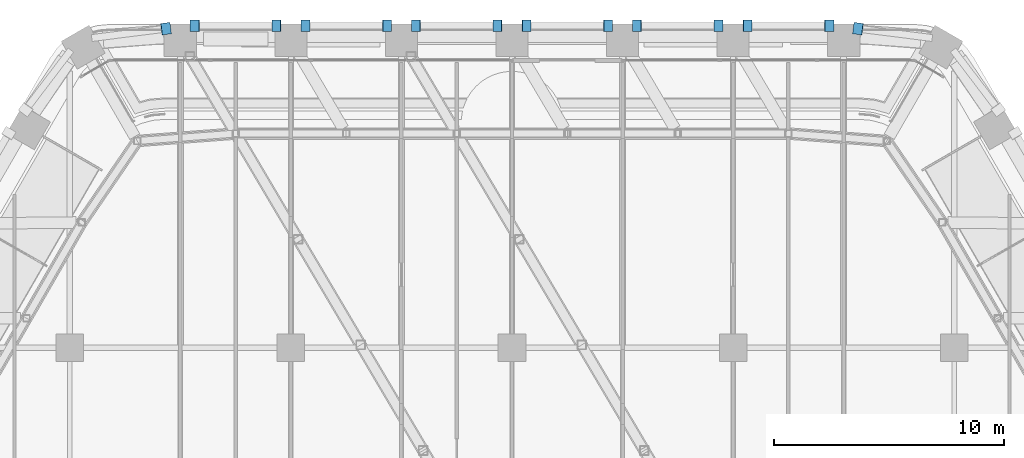
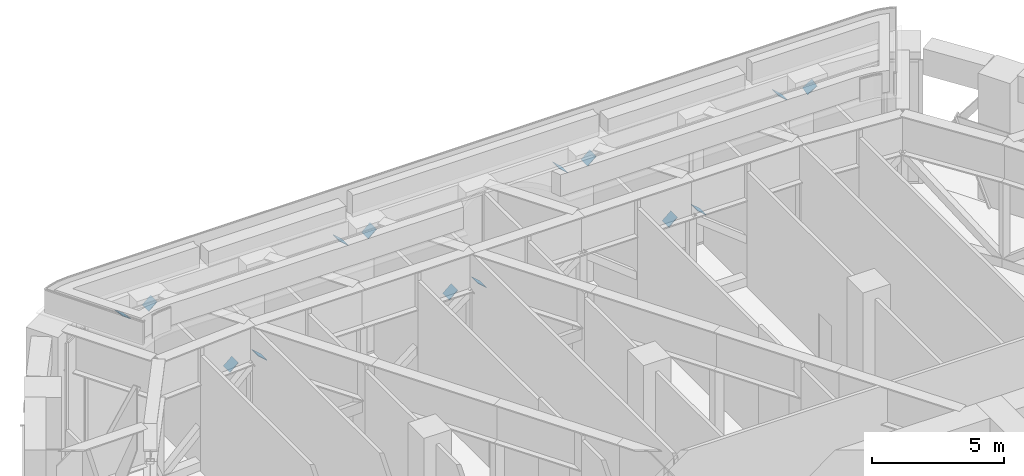
# One storey, part 31 of 35: 14 discrete accessories.
"""IFC4 building model written with IfcOpenShell, lengths in metres."""

import ifcopenshell
import ifcopenshell.guid

model = None  # the IFC model being written
_history = None  # IfcOwnerHistory: only IFC2X3 demands one
_inside = {}  # id of a spatial element -> (the spatial element, [elements in it])
_under = {}  # id of a project, library or spatial element -> (it, [spatial elements below it])
_declared = {}  # id of a project -> (the project, [libraries it declares])
_typed = {}  # id of a type object -> (the type object, [elements of that type])
_made_of = {}  # id of a material, layer set ... -> (it, [elements and type objects made of it])


def new_model(schema):
    """Start an empty IFC model of exactly this schema.

    Asked for "IFC4X3", IfcOpenShell would pick the latest addendum, in which some entities
    have other attributes; the version numbers below select the first issue.
    IFC2X3 requires an IfcOwnerHistory on every rooted entity: one is made here for all.
    """
    global model, _history
    if schema == "IFC4X3":
        model = ifcopenshell.file(schema_version=(4, 3, 0, 0))
    else:
        model = ifcopenshell.file(schema=schema)
    _inside.clear()
    _under.clear()
    _declared.clear()
    _typed.clear()
    _made_of.clear()
    _history = None
    if model.schema == "IFC2X3":
        org = make("IfcOrganization", Name="unknown")
        user = make(
            "IfcPersonAndOrganization",
            ThePerson=make("IfcPerson", FamilyName="unknown"),
            TheOrganization=org,
        )
        app = make(
            "IfcApplication",
            ApplicationDeveloper=org,
            Version="unknown",
            ApplicationFullName="unknown",
            ApplicationIdentifier="unknown",
        )
        _history = make(
            "IfcOwnerHistory",
            OwningUser=user,
            OwningApplication=app,
            ChangeAction="ADDED",
            CreationDate=0,
        )
    return model


def make(cls, **values):
    """One entity of the class cls with the attributes given. An attribute that is None is left unset."""
    return model.create_entity(
        cls, **{name: value for name, value in values.items() if value is not None}
    )


def rooted(cls, **values):
    """An entity with a GlobalId (a new one), such as an element, a storey or a relation."""
    return make(cls, GlobalId=ifcopenshell.guid.new(), OwnerHistory=_history, **values)


def si_unit(unit_type, name, prefix=None):
    """IfcSIUnit, for example si_unit("LENGTHUNIT", "METRE", prefix="MILLI")."""
    return make("IfcSIUnit", UnitType=unit_type, Prefix=prefix, Name=name)


def assignment(units):
    """IfcUnitAssignment: the units of a project."""
    return None if units is None else make("IfcUnitAssignment", Units=units)


def point(xyz):
    """IfcCartesianPoint."""
    return None if xyz is None else make("IfcCartesianPoint", Coordinates=xyz)


def direction(xyz):
    """IfcDirection."""
    return None if xyz is None else make("IfcDirection", DirectionRatios=xyz)


def frame(location, z_axis=None, x_axis=None):
    """IfcAxis2Placement3D, a coordinate frame: its origin and axes. An axis left out is left unset."""
    return make(
        "IfcAxis2Placement3D",
        Location=point(location),
        Axis=direction(z_axis),
        RefDirection=direction(x_axis),
    )


def frame_2d(location, x_axis=None):
    """IfcAxis2Placement2D, a coordinate frame in the plane: its origin and x axis."""
    return make(
        "IfcAxis2Placement2D", Location=point(location), RefDirection=direction(x_axis)
    )


def origin():
    """The frame at (0, 0, 0) with its axes left unset."""
    return frame((0.0, 0.0, 0.0))


def origin_2d():
    """The frame at (0, 0) in the plane with its x axis left unset."""
    return frame_2d((0.0, 0.0))


def place(relative_to, where):
    """IfcLocalPlacement: puts the frame where relative to a parent placement (None: the world)."""
    return make(
        "IfcLocalPlacement", PlacementRelTo=relative_to, RelativePlacement=where
    )


def context(
    kind, dimensions, precision=None, world=None, true_north=None, identifier=None
):
    """IfcGeometricRepresentationContext, for example the 3D "Model" context."""
    return make(
        "IfcGeometricRepresentationContext",
        ContextIdentifier=identifier,
        ContextType=kind,
        CoordinateSpaceDimension=dimensions,
        Precision=precision,
        WorldCoordinateSystem=world,
        TrueNorth=true_north,
    )


def subcontext(parent, identifier, kind, view, scale=None):
    """IfcGeometricRepresentationSubContext, for example "Body" below "Model"."""
    return make(
        "IfcGeometricRepresentationSubContext",
        ContextIdentifier=identifier,
        ContextType=kind,
        ParentContext=parent,
        TargetScale=scale,
        TargetView=view,
    )


def project(units=None, contexts=None):
    """IfcProject with its units and contexts."""
    return rooted(
        "IfcProject",
        Name="project",
        RepresentationContexts=contexts,
        UnitsInContext=assignment(units),
    )


def spatial(cls, under=None, at=None, **own):
    """A site, building, storey or space (cls), placed at a placement, below another one or the project."""
    s = rooted(cls, ObjectPlacement=at, **own)
    if under is not None:
        _under.setdefault(under.id(), (under, []))[1].append(s)
    return s


def profile(cls, at=None, kind="AREA", **sizes):
    """A parametric profile (cls). Its sizes go by their IFC names, for example OverallWidth=200.0."""
    return make(cls, ProfileType=kind, Position=at, **sizes)


def rectangle(**sizes):
    """IfcRectangleProfileDef."""
    return profile("IfcRectangleProfileDef", **sizes)


def extrude(swept, where, along, depth):
    """IfcExtrudedAreaSolid: the profile swept, set in the frame where, extruded along a direction by depth."""
    return make(
        "IfcExtrudedAreaSolid",
        SweptArea=swept,
        Position=where,
        ExtrudedDirection=direction(along),
        Depth=depth,
    )


def shape(context_of_items, identifier, shape_type, items):
    """IfcShapeRepresentation: the items that make up one representation, for example the "Body"."""
    return make(
        "IfcShapeRepresentation",
        ContextOfItems=context_of_items,
        RepresentationIdentifier=identifier,
        RepresentationType=shape_type,
        Items=items,
    )


def made_of(thing, what):
    """Note that an element or type object is made of a material, layer set ...; save() writes the relation."""
    if what is not None:
        _made_of.setdefault(what.id(), (what, []))[1].append(thing)
    return thing


def element(
    cls,
    number,
    at=None,
    inside=None,
    cuts=None,
    type_object=None,
    material=None,
    context=None,
    identifier="Body",
    shape_type=None,
    held_by="IfcProductDefinitionShape",
    body=None,
    shapes=None,
    **own,
):
    """One element of the class cls, such as IfcWall. Its Tag is "e" and its number.

    at: its placement. inside: the storey or other place that contains it. cuts: it is an
    opening in that element (IfcRelVoidsElement). A single representation is given by context,
    identifier, shape_type and body (its items); several are given by shapes. held_by: the class
    of the entity that holds the representations. save() writes the other relations.
    """
    e = rooted(cls, Tag="e%d" % number, ObjectPlacement=at, **own)
    if body is not None:
        shapes = [shape(context, identifier, shape_type, body)]
    if shapes is not None:
        e.Representation = make(held_by, Representations=shapes)
    if inside is not None:
        _inside.setdefault(inside.id(), (inside, []))[1].append(e)
    if cuts is not None:
        rooted(
            "IfcRelVoidsElement", RelatingBuildingElement=cuts, RelatedOpeningElement=e
        )
    if type_object is not None:
        _typed.setdefault(type_object.id(), (type_object, []))[1].append(e)
    return made_of(e, material)


def aggregate(whole, parts):
    """IfcRelAggregates: a whole, such as a stair, and the parts it consists of."""
    return rooted("IfcRelAggregates", RelatingObject=whole, RelatedObjects=parts)


def save(model, path):
    """Write the relations noted so far, then the file.

    IfcRelAggregates (storeys below a building ...), IfcRelContainedInSpatialStructure (elements
    in a storey), IfcRelDefinesByType, IfcRelAssociatesMaterial and IfcRelDeclares: one each for
    every whole, place, type object, material and project.
    """
    for whole, parts in _under.values():
        aggregate(whole, parts)
    for where, things in _inside.values():
        rooted(
            "IfcRelContainedInSpatialStructure",
            RelatedElements=things,
            RelatingStructure=where,
        )
    for kind, things in _typed.values():
        rooted("IfcRelDefinesByType", RelatedObjects=things, RelatingType=kind)
    for what, things in _made_of.values():
        rooted("IfcRelAssociatesMaterial", RelatedObjects=things, RelatingMaterial=what)
    for by, libraries in _declared.values():
        rooted("IfcRelDeclares", RelatingContext=by, RelatedDefinitions=libraries)
    model.write(path)


model = new_model("IFC4")

# Units and contexts
model_context = context("Model", 3, precision=1e-05, world=origin(), true_north=direction((0.0, 1.0)))
body_context = subcontext(model_context, "Body", "Model", "MODEL_VIEW")
ifc_project = project(units=[si_unit("LENGTHUNIT", "METRE"), si_unit("AREAUNIT", "SQUARE_METRE"), si_unit("VOLUMEUNIT", "CUBIC_METRE"), si_unit("PLANEANGLEUNIT", "RADIAN"), si_unit("MASSUNIT", "GRAM", prefix="KILO")], contexts=[model_context])

# Site, building, storey
site_placement = place(None, origin())
site = spatial("IfcSite", under=ifc_project, at=site_placement, CompositionType="ELEMENT")
building_placement = place(site_placement, origin())
building = spatial("IfcBuilding", under=site, at=building_placement, Name="Kolab Exchange Tower", CompositionType="ELEMENT")
storey_placement = place(building_placement, frame((0.0, 0.0, 71.89990234375)))
storey = spatial("IfcBuildingStorey", under=building, at=storey_placement, Name="L13", CompositionType="ELEMENT", Elevation=71.89990234375)

# Discrete accessories
for number, where, z_axis, x_axis, name in (
    (1, (-15.029296875, 33.052734375, 4.4501953125), (0.605953208788, 0.078187510811, 0.791648546965), (-0.12797133763, 0.991777866634, 0.0), "Gusset plate"),
    (2, (-13.76611328125, 33.1796875, 4.4501953125), (-0.656421241451, 0.0, 0.75439456107), (0.0, -1.0, 0.0), "Gusset plate"),
    (3, (-10.23388671875, 33.1796875, 0.400146484375), (0.656421241451, 0.0, -0.75439456107), (0.0, 1.0, 0.0), "Gusset plate"),
    (4, (-8.966064453125, 33.1796875, 0.400146484375), (-0.656421241451, 0.0, -0.75439456107), (0.0, -1.0, 0.0), "Gusset plate"),
    (5, (-5.433837890625, 33.1796875, 4.4501953125), (0.656421241451, 0.0, 0.75439456107), (0.0, 1.0, 0.0), "Gusset plate"),
):
    element("IfcDiscreteAccessory", number, at=place(storey_placement, frame(where, z_axis=z_axis, x_axis=x_axis)), inside=storey, Name=name, ObjectType="GUSSET PLATE", PredefinedType="USERDEFINED", context=body_context, shape_type="SweptSolid", body=[
        extrude(rectangle(XDim=0.5, YDim=0.5, at=origin_2d()), origin(), (0.0, 0.0, 1.0), 0.02490234375),
    ])
discrete_accessory_1_placement = place(storey_placement, frame((-4.166015625, 33.1796875, 4.4501953125), z_axis=(-0.661943533071, 0.0, 0.749553706565), x_axis=(0.0, -1.0, 0.0)))
element("IfcDiscreteAccessory", 6, at=discrete_accessory_1_placement, inside=storey, Name="Gusset plate", ObjectType="GUSSET PLATE", PredefinedType="USERDEFINED", context=body_context, shape_type="SweptSolid", body=[
    extrude(rectangle(XDim=0.5, YDim=0.5, at=origin_2d()), origin(), (0.0, 0.0, 1.0), 0.025146484375),
])
for number, where, z_axis, x_axis, name in (
    (7, (-0.6337890625, 33.1796875, 0.400146484375), (0.656421241451, 0.0, -0.75439456107), (0.0, 1.0, 0.0), "Gusset plate"),
    (8, (0.6337890625, 33.1796875, 0.400146484375), (-0.656421241451, 0.0, -0.75439456107), (0.0, -1.0, 0.0), "Gusset plate"),
):
    element("IfcDiscreteAccessory", number, at=place(storey_placement, frame(where, z_axis=z_axis, x_axis=x_axis)), inside=storey, Name=name, ObjectType="GUSSET PLATE", PredefinedType="USERDEFINED", context=body_context, shape_type="SweptSolid", body=[
        extrude(rectangle(XDim=0.5, YDim=0.5, at=origin_2d()), origin(), (0.0, 0.0, 1.0), 0.02490234375),
    ])
discrete_accessory_2_placement = place(storey_placement, frame((4.166015625, 33.1796875, 4.4501953125), z_axis=(0.661943533071, 0.0, 0.749553706565), x_axis=(0.0, 1.0, 0.0)))
element("IfcDiscreteAccessory", 9, at=discrete_accessory_2_placement, inside=storey, Name="Gusset plate", ObjectType="GUSSET PLATE", PredefinedType="USERDEFINED", context=body_context, shape_type="SweptSolid", body=[
    extrude(rectangle(XDim=0.5, YDim=0.5, at=origin_2d()), origin(), (0.0, 0.0, 1.0), 0.025146484375),
])
for number, where, z_axis, x_axis, name in (
    (10, (5.433837890625, 33.1796875, 4.4501953125), (-0.656421241451, 0.0, 0.75439456107), (0.0, -1.0, 0.0), "Gusset plate"),
    (11, (8.966064453125, 33.1796875, 0.400146484375), (0.656421241451, 0.0, -0.75439456107), (0.0, 1.0, 0.0), "Gusset plate"),
    (12, (10.23388671875, 33.1796875, 0.400146484375), (-0.656421241451, 0.0, -0.75439456107), (0.0, -1.0, 0.0), "Gusset plate"),
    (13, (13.76611328125, 33.1796875, 4.4501953125), (0.656421241451, 0.0, 0.75439456107), (0.0, 1.0, 0.0), "Gusset plate"),
    (14, (15.029296875, 33.052734375, 4.4501953125), (-0.605953208788, 0.078187510811, 0.791648546965), (-0.12797133763, -0.991777866634, 0.0), "Gusset plate"),
):
    element("IfcDiscreteAccessory", number, at=place(storey_placement, frame(where, z_axis=z_axis, x_axis=x_axis)), inside=storey, Name=name, ObjectType="GUSSET PLATE", PredefinedType="USERDEFINED", context=body_context, shape_type="SweptSolid", body=[
        extrude(rectangle(XDim=0.5, YDim=0.5, at=origin_2d()), origin(), (0.0, 0.0, 1.0), 0.02490234375),
    ])

save(model, "model.ifc")
